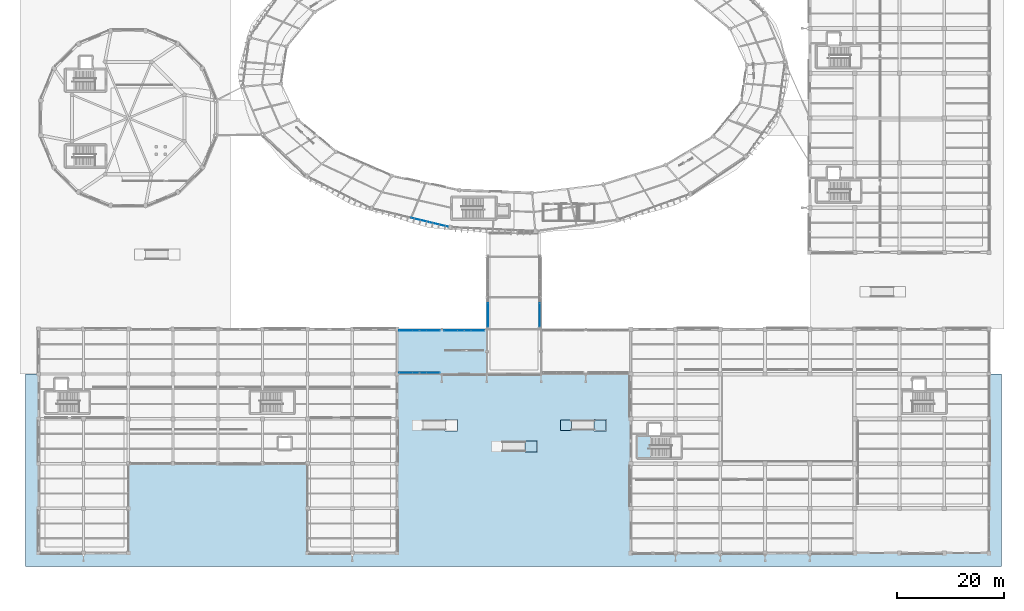
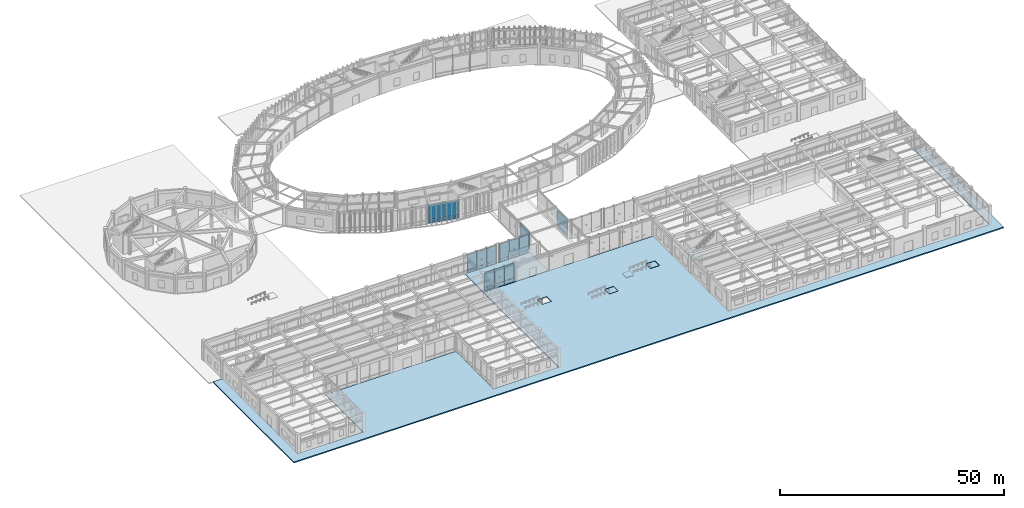
# One storey, part 112 of 157: 26 plates, 6 slabs, 9 elements without a shape of their own.
"""IFC4 building model written with IfcOpenShell, lengths in metres."""

from ifc_helpers import new_model, si_unit, direction, frame, origin, origin_2d, place, context, subcontext, project, spatial, polyline, rectangle, outline, extrude, material, layer, layer_set, type_object, element, aggregate, save


model = new_model("IFC4")

# Units and contexts
model_context = context("Model", 3, precision=1e-05, world=origin(), true_north=direction((0.0, 1.0)))
body_context = subcontext(model_context, "Body", "Model", "MODEL_VIEW")
ifc_project = project(units=[si_unit("LENGTHUNIT", "METRE"), si_unit("AREAUNIT", "SQUARE_METRE"), si_unit("VOLUMEUNIT", "CUBIC_METRE"), si_unit("PLANEANGLEUNIT", "RADIAN"), si_unit("MASSUNIT", "GRAM", prefix="KILO"), si_unit("THERMODYNAMICTEMPERATUREUNIT", "KELVIN"), si_unit("POWERUNIT", "WATT")], contexts=[model_context])

# Site, building, storey
site_placement = place(None, origin())
site = spatial("IfcSite", under=ifc_project, at=site_placement, CompositionType="ELEMENT")
building_placement = place(site_placement, origin())
building = spatial("IfcBuilding", under=site, at=building_placement, Name="Darbajah Civic Hall", CompositionType="ELEMENT")
storey_placement = place(building_placement, origin())
storey = spatial("IfcBuildingStorey", under=building, at=storey_placement, Name="L00", CompositionType="ELEMENT", Elevation=0.0)

# Slab
ifc_material_1 = material(Name="Concrete C45/55", Category="concrete")
ifc_layer_1 = layer(ifc_material_1, 0.300048828125, Name="Concrete C45/55")
ifc_layer_set_1 = layer_set([ifc_layer_1], Name="Concrete C45/55")
slab_type_1 = type_object("IfcSlabType", Name="Exterior Plaza Deck Slab 300mm", PredefinedType="FLOOR", material=ifc_layer_set_1)
slab_1_placement = place(storey_placement, frame((0.0, 0.0, -0.300048828125)))
element("IfcSlab", 1, at=slab_1_placement, inside=storey, type_object=slab_type_1, Name="L00 exterior civic plaza deck APR-S-2", PredefinedType="FLOOR", context=body_context, shape_type="SweptSolid", body=[
    extrude(outline(polyline([(180.5, 33.60009765625), (180.5, -2.5), (-2.5, -2.5), (-2.5, 33.60009765625), (-0.02001953125, 33.60009765625), (-0.02001953125, 0.0), (-0.02001953125, -0.001953125), (-0.01953125, -0.00390625), (-0.01904296875, -0.005859375), (-0.0185546875, -0.0078125), (-0.017578125, -0.009521484375), (-0.0166015625, -0.010986328125), (-0.015380859375, -0.0126953125), (-0.01416015625, -0.01416015625), (-0.0126953125, -0.015380859375), (-0.010986328125, -0.0166015625), (-0.009521484375, -0.017578125), (-0.0078125, -0.0185546875), (-0.005859375, -0.01904296875), (-0.00390625, -0.01953125), (-0.001953125, -0.02001953125), (0.0, -0.02001953125), (16.800048828125, -0.02001953125), (16.802001953125, -0.02001953125), (16.803955078125, -0.01953125), (16.805908203125, -0.01904296875), (16.8076171875, -0.0185546875), (16.809326171875, -0.017578125), (16.81103515625, -0.0166015625), (16.812744140625, -0.015380859375), (16.814208984375, -0.01416015625), (16.8154296875, -0.0126953125), (16.816650390625, -0.010986328125), (16.817626953125, -0.009521484375), (16.818603515625, -0.0078125), (16.819091796875, -0.005859375), (16.819580078125, -0.00390625), (16.81982421875, -0.001953125), (16.820068359375, 0.0), (16.820068359375, 16.780029296875), (50.3798828125, 16.780029296875), (50.3798828125, 0.0), (50.380126953125, -0.001953125), (50.38037109375, -0.00390625), (50.380859375, -0.005859375), (50.381591796875, -0.0078125), (50.38232421875, -0.009521484375), (50.38330078125, -0.010986328125), (50.384521484375, -0.0126953125), (50.385986328125, -0.01416015625), (50.38720703125, -0.015380859375), (50.388916015625, -0.0166015625), (50.390625, -0.017578125), (50.392333984375, -0.0185546875), (50.394287109375, -0.01904296875), (50.39599609375, -0.01953125), (50.39794921875, -0.02001953125), (50.39990234375, -0.02001953125), (67.199951171875, -0.02001953125), (67.201904296875, -0.02001953125), (67.203857421875, -0.01953125), (67.205810546875, -0.01904296875), (67.207763671875, -0.0185546875), (67.20947265625, -0.017578125), (67.211181640625, -0.0166015625), (67.212646484375, -0.015380859375), (67.214111328125, -0.01416015625), (67.215576171875, -0.0126953125), (67.216552734375, -0.010986328125), (67.217529296875, -0.009521484375), (67.218505859375, -0.0078125), (67.218994140625, -0.005859375), (67.219482421875, -0.00390625), (67.219970703125, -0.001953125), (67.219970703125, 0.0), (67.219970703125, 33.60009765625), (67.421630859375, 33.60009765625), (67.435791015625, 33.5859375), (67.437255859375, 33.58447265625), (67.43896484375, 33.58349609375), (67.440673828125, 33.58251953125), (67.4423828125, 33.58154296875), (67.444091796875, 33.580810546875), (67.446044921875, 33.580322265625), (67.447998046875, 33.580078125), (67.449951171875, 33.580078125), (83.75, 33.580078125), (83.751953125, 33.580078125), (83.75390625, 33.580322265625), (83.755859375, 33.580810546875), (83.7578125, 33.58154296875), (83.759521484375, 33.58251953125), (83.760986328125, 33.58349609375), (83.7626953125, 33.58447265625), (83.76416015625, 33.5859375), (83.7783203125, 33.60009765625), (84.2216796875, 33.60009765625), (84.23583984375, 33.5859375), (84.2373046875, 33.58447265625), (84.239013671875, 33.58349609375), (84.240478515625, 33.58251953125), (84.2421875, 33.58154296875), (84.244140625, 33.580810546875), (84.24609375, 33.580322265625), (84.248046875, 33.580078125), (84.25, 33.580078125), (93.949951171875, 33.580078125), (93.951904296875, 33.580078125), (93.953857421875, 33.580322265625), (93.955810546875, 33.580810546875), (93.957763671875, 33.58154296875), (93.95947265625, 33.58251953125), (93.961181640625, 33.58349609375), (93.962646484375, 33.58447265625), (93.964111328125, 33.5859375), (93.978271484375, 33.60009765625), (94.421630859375, 33.60009765625), (94.435791015625, 33.5859375), (94.437255859375, 33.58447265625), (94.43896484375, 33.58349609375), (94.440673828125, 33.58251953125), (94.4423828125, 33.58154296875), (94.444091796875, 33.580810546875), (94.446044921875, 33.580322265625), (94.447998046875, 33.580078125), (94.449951171875, 33.580078125), (110.75, 33.580078125), (110.751953125, 33.580078125), (110.75390625, 33.580322265625), (110.755859375, 33.580810546875), (110.7578125, 33.58154296875), (110.759521484375, 33.58251953125), (110.760986328125, 33.58349609375), (110.7626953125, 33.58447265625), (110.76416015625, 33.5859375), (110.7783203125, 33.60009765625), (110.97998046875, 33.60009765625), (110.97998046875, 0.5), (110.97998046875, 0.498046875), (110.98046875, 0.49609375), (110.98095703125, 0.494140625), (110.9814453125, 0.4921875), (110.982421875, 0.490478515625), (110.9833984375, 0.489013671875), (110.984619140625, 0.4873046875), (110.98583984375, 0.48583984375), (111.48583984375, -0.01416015625), (111.4873046875, -0.015380859375), (111.489013671875, -0.0166015625), (111.490478515625, -0.017578125), (111.4921875, -0.0185546875), (111.494140625, -0.01904296875), (111.49609375, -0.01953125), (111.498046875, -0.02001953125), (111.5, -0.02001953125), (177.699951171875, -0.02001953125), (177.701904296875, -0.02001953125), (177.703857421875, -0.01953125), (177.705810546875, -0.01904296875), (177.707763671875, -0.0185546875), (177.70947265625, -0.017578125), (177.711181640625, -0.0166015625), (177.712646484375, -0.015380859375), (177.714111328125, -0.01416015625), (178.214111328125, 0.48583984375), (178.215576171875, 0.4873046875), (178.216552734375, 0.489013671875), (178.217529296875, 0.490478515625), (178.218505859375, 0.4921875), (178.218994140625, 0.494140625), (178.219482421875, 0.49609375), (178.219970703125, 0.498046875), (178.219970703125, 0.5), (178.219970703125, 33.60009765625), (180.5, 33.60009765625)]), holes=[polyline([(106.43994140625, 22.97998046875), (106.43994140625, 25.02001953125), (106.43994140625, 25.02197265625), (106.439697265625, 25.02392578125), (106.439208984375, 25.02587890625), (106.4384765625, 25.027587890625), (106.4375, 25.029296875), (106.4365234375, 25.031005859375), (106.435546875, 25.03271484375), (106.43408203125, 25.0341796875), (106.4326171875, 25.035400390625), (106.43115234375, 25.03662109375), (106.429443359375, 25.03759765625), (106.427734375, 25.03857421875), (106.42578125, 25.0390625), (106.423828125, 25.03955078125), (106.422119140625, 25.039794921875), (106.419921875, 25.0400390625), (104.1201171875, 25.0400390625), (104.117919921875, 25.039794921875), (104.1162109375, 25.03955078125), (104.1142578125, 25.0390625), (104.1123046875, 25.03857421875), (104.110595703125, 25.03759765625), (104.10888671875, 25.03662109375), (104.107421875, 25.035400390625), (104.10595703125, 25.0341796875), (104.1044921875, 25.03271484375), (104.103515625, 25.031005859375), (104.102294921875, 25.029296875), (104.1015625, 25.027587890625), (104.100830078125, 25.02587890625), (104.100341796875, 25.02392578125), (104.10009765625, 25.02197265625), (104.10009765625, 25.02001953125), (104.10009765625, 22.97998046875), (104.10009765625, 22.97802734375), (104.100341796875, 22.97607421875), (104.100830078125, 22.97412109375), (104.1015625, 22.972412109375), (104.102294921875, 22.970703125), (104.103515625, 22.968994140625), (104.1044921875, 22.96728515625), (104.10595703125, 22.9658203125), (104.107421875, 22.964599609375), (104.10888671875, 22.96337890625), (104.110595703125, 22.96240234375), (104.1123046875, 22.96142578125), (104.1142578125, 22.9609375), (104.1162109375, 22.96044921875), (104.117919921875, 22.960205078125), (104.1201171875, 22.9599609375), (106.419921875, 22.9599609375), (106.422119140625, 22.960205078125), (106.423828125, 22.96044921875), (106.42578125, 22.9609375), (106.427734375, 22.96142578125), (106.429443359375, 22.96240234375), (106.43115234375, 22.96337890625), (106.4326171875, 22.964599609375), (106.43408203125, 22.9658203125), (106.435546875, 22.96728515625), (106.4365234375, 22.968994140625), (106.4375, 22.970703125), (106.4384765625, 22.972412109375), (106.439208984375, 22.97412109375), (106.439697265625, 22.97607421875), (106.43994140625, 22.97802734375), (106.43994140625, 22.97998046875)]), polyline([(93.5, 18.97998046875), (93.5, 21.02001953125), (93.5, 21.02197265625), (93.49951171875, 21.02392578125), (93.4990234375, 21.02587890625), (93.49853515625, 21.027587890625), (93.49755859375, 21.029296875), (93.49658203125, 21.031005859375), (93.49560546875, 21.03271484375), (93.494140625, 21.0341796875), (93.49267578125, 21.035400390625), (93.4912109375, 21.03662109375), (93.489501953125, 21.03759765625), (93.48779296875, 21.03857421875), (93.48583984375, 21.0390625), (93.48388671875, 21.03955078125), (93.48193359375, 21.039794921875), (93.47998046875, 21.0400390625), (91.179931640625, 21.0400390625), (91.177978515625, 21.039794921875), (91.176025390625, 21.03955078125), (91.17431640625, 21.0390625), (91.17236328125, 21.03857421875), (91.170654296875, 21.03759765625), (91.1689453125, 21.03662109375), (91.167236328125, 21.035400390625), (91.166015625, 21.0341796875), (91.16455078125, 21.03271484375), (91.163330078125, 21.031005859375), (91.162353515625, 21.029296875), (91.16162109375, 21.027587890625), (91.160888671875, 21.02587890625), (91.160400390625, 21.02392578125), (91.16015625, 21.02197265625), (91.159912109375, 21.02001953125), (91.159912109375, 18.97998046875), (91.16015625, 18.97802734375), (91.160400390625, 18.97607421875), (91.160888671875, 18.97412109375), (91.16162109375, 18.972412109375), (91.162353515625, 18.970703125), (91.163330078125, 18.968994140625), (91.16455078125, 18.96728515625), (91.166015625, 18.9658203125), (91.167236328125, 18.964599609375), (91.1689453125, 18.96337890625), (91.170654296875, 18.96240234375), (91.17236328125, 18.96142578125), (91.17431640625, 18.9609375), (91.176025390625, 18.96044921875), (91.177978515625, 18.960205078125), (91.179931640625, 18.9599609375), (93.47998046875, 18.9599609375), (93.48193359375, 18.960205078125), (93.48388671875, 18.96044921875), (93.48583984375, 18.9609375), (93.48779296875, 18.96142578125), (93.489501953125, 18.96240234375), (93.4912109375, 18.96337890625), (93.49267578125, 18.964599609375), (93.494140625, 18.9658203125), (93.49560546875, 18.96728515625), (93.49658203125, 18.968994140625), (93.49755859375, 18.970703125), (93.49853515625, 18.972412109375), (93.4990234375, 18.97412109375), (93.49951171875, 18.97607421875), (93.5, 18.97802734375), (93.5, 18.97998046875)]), polyline([(78.56005859375, 22.97998046875), (78.56005859375, 25.02001953125), (78.559814453125, 25.02197265625), (78.5595703125, 25.02392578125), (78.55908203125, 25.02587890625), (78.55859375, 25.027587890625), (78.5576171875, 25.029296875), (78.556640625, 25.031005859375), (78.555419921875, 25.03271484375), (78.55419921875, 25.0341796875), (78.552734375, 25.035400390625), (78.551025390625, 25.03662109375), (78.54931640625, 25.03759765625), (78.547607421875, 25.03857421875), (78.5458984375, 25.0390625), (78.5439453125, 25.03955078125), (78.5419921875, 25.039794921875), (78.5400390625, 25.0400390625), (76.239990234375, 25.0400390625), (76.238037109375, 25.039794921875), (76.236083984375, 25.03955078125), (76.234130859375, 25.0390625), (76.232421875, 25.03857421875), (76.230712890625, 25.03759765625), (76.22900390625, 25.03662109375), (76.227294921875, 25.035400390625), (76.225830078125, 25.0341796875), (76.224609375, 25.03271484375), (76.223388671875, 25.031005859375), (76.222412109375, 25.029296875), (76.221435546875, 25.027587890625), (76.220947265625, 25.02587890625), (76.220458984375, 25.02392578125), (76.22021484375, 25.02197265625), (76.219970703125, 25.02001953125), (76.219970703125, 22.97998046875), (76.22021484375, 22.97802734375), (76.220458984375, 22.97607421875), (76.220947265625, 22.97412109375), (76.221435546875, 22.972412109375), (76.222412109375, 22.970703125), (76.223388671875, 22.968994140625), (76.224609375, 22.96728515625), (76.225830078125, 22.9658203125), (76.227294921875, 22.964599609375), (76.22900390625, 22.96337890625), (76.230712890625, 22.96240234375), (76.232421875, 22.96142578125), (76.234130859375, 22.9609375), (76.236083984375, 22.96044921875), (76.238037109375, 22.960205078125), (76.239990234375, 22.9599609375), (78.5400390625, 22.9599609375), (78.5419921875, 22.960205078125), (78.5439453125, 22.96044921875), (78.5458984375, 22.9609375), (78.547607421875, 22.96142578125), (78.54931640625, 22.96240234375), (78.551025390625, 22.96337890625), (78.552734375, 22.964599609375), (78.55419921875, 22.9658203125), (78.555419921875, 22.96728515625), (78.556640625, 22.968994140625), (78.5576171875, 22.970703125), (78.55859375, 22.972412109375), (78.55908203125, 22.97412109375), (78.5595703125, 22.97607421875), (78.559814453125, 22.97802734375), (78.56005859375, 22.97998046875)])]), origin(), (0.0, 0.0, 1.0), 0.300048828125),
])

# Curtain wall, plates
ifc_material_2 = material(Name="Anodised Bronze Aluminium and Low-E Glazing", Category="aluminium")
curtain_wall_type_1 = type_object("IfcCurtainWallType", Name="Unitised Curtain Wall CW-101 7600x5150", PredefinedType="USERDEFINED", material=ifc_material_2)
curtain_wall_1_placement = place(storey_placement, origin())
curtain_wall_1 = element("IfcCurtainWall", 2, at=curtain_wall_1_placement, inside=storey, type_object=curtain_wall_type_1, Name="L00 unitised curtain wall CW-V6-SW-S-L00", ObjectType="UNITISED CURTAIN WALL", PredefinedType="USERDEFINED")
ifc_material_3 = material(Name="Low-E Solar Control Double Glazing", Category="glass")
ifc_layer_2 = layer(ifc_material_3, 0.02392578125, Name="Low-E Solar Control Double Glazing")
ifc_layer_set_2 = layer_set([ifc_layer_2], Name="Low-E Solar Control Double Glazing")
plate_type_1 = type_object("IfcPlateType", Name="Solar Double Glazing 24mm", PredefinedType="CURTAIN_PANEL", material=ifc_layer_set_2)
plate_1_placement = place(storey_placement, frame((68.86669921875, 33.85009765625, 0.10009765625), z_axis=(0.0, 0.0, 1.0), x_axis=(1.0, 0.0, 0.0)))
plate_1 = element("IfcPlate", 3, at=plate_1_placement, type_object=plate_type_1, Name="CW-V6-SW-S-L00 glazed panel 1.1", PredefinedType="CURTAIN_PANEL", context=body_context, shape_type="SweptSolid", body=[
    extrude(rectangle(XDim=2.46826171875, YDim=0.02392578125, at=origin_2d()), origin(), (0.0, 0.0, 1.0), 0.800048828125),
])
plate_2_placement = place(storey_placement, frame((68.86669921875, 33.85009765625, 1.0), z_axis=(0.0, 0.0, 1.0), x_axis=(1.0, 0.0, 0.0)))
plate_2 = element("IfcPlate", 4, at=plate_2_placement, type_object=plate_type_1, Name="CW-V6-SW-S-L00 glazed panel 1.2", PredefinedType="CURTAIN_PANEL", context=body_context, shape_type="SweptSolid", body=[
    extrude(rectangle(XDim=2.46826171875, YDim=0.02392578125, at=origin_2d()), origin(), (0.0, 0.0, 1.0), 4.06005859375),
])
plate_3_placement = place(storey_placement, frame((71.39990234375, 33.85009765625, 0.10009765625), z_axis=(0.0, 0.0, 1.0), x_axis=(1.0, 0.0, 0.0)))
plate_3 = element("IfcPlate", 5, at=plate_3_placement, type_object=plate_type_1, Name="CW-V6-SW-S-L00 glazed panel 2.1", PredefinedType="CURTAIN_PANEL", context=body_context, shape_type="SweptSolid", body=[
    extrude(rectangle(XDim=2.46826171875, YDim=0.02392578125, at=origin_2d()), origin(), (0.0, 0.0, 1.0), 0.800048828125),
])
plate_4_placement = place(storey_placement, frame((71.39990234375, 33.85009765625, 1.0), z_axis=(0.0, 0.0, 1.0), x_axis=(1.0, 0.0, 0.0)))
plate_4 = element("IfcPlate", 6, at=plate_4_placement, type_object=plate_type_1, Name="CW-V6-SW-S-L00 glazed panel 2.2", PredefinedType="CURTAIN_PANEL", context=body_context, shape_type="SweptSolid", body=[
    extrude(rectangle(XDim=2.46826171875, YDim=0.02392578125, at=origin_2d()), origin(), (0.0, 0.0, 1.0), 4.06005859375),
])
plate_5_placement = place(storey_placement, frame((73.933349609375, 33.85009765625, 0.10009765625), z_axis=(0.0, 0.0, 1.0), x_axis=(1.0, 0.0, 0.0)))
plate_5 = element("IfcPlate", 7, at=plate_5_placement, type_object=plate_type_1, Name="CW-V6-SW-S-L00 glazed panel 3.1", PredefinedType="CURTAIN_PANEL", context=body_context, shape_type="SweptSolid", body=[
    extrude(rectangle(XDim=2.46826171875, YDim=0.02392578125, at=origin_2d()), origin(), (0.0, 0.0, 1.0), 0.800048828125),
])
plate_6_placement = place(storey_placement, frame((73.933349609375, 33.85009765625, 1.0), z_axis=(0.0, 0.0, 1.0), x_axis=(1.0, 0.0, 0.0)))
plate_6 = element("IfcPlate", 8, at=plate_6_placement, type_object=plate_type_1, Name="CW-V6-SW-S-L00 glazed panel 3.2", PredefinedType="CURTAIN_PANEL", context=body_context, shape_type="SweptSolid", body=[
    extrude(rectangle(XDim=2.46826171875, YDim=0.02392578125, at=origin_2d()), origin(), (0.0, 0.0, 1.0), 4.06005859375),
])
aggregate(curtain_wall_1, [plate_1, plate_2, plate_3, plate_4, plate_5, plate_6])

curtain_wall_2_placement = place(storey_placement, origin())
curtain_wall_2 = element("IfcCurtainWall", 9, at=curtain_wall_2_placement, inside=storey, type_object=curtain_wall_type_1, Name="L00 unitised curtain wall CW-V6-SW-N-L00", ObjectType="UNITISED CURTAIN WALL", PredefinedType="USERDEFINED")
plate_7_placement = place(storey_placement, frame((68.86669921875, 41.75, 0.10009765625), z_axis=(0.0, 0.0, 1.0), x_axis=(1.0, 0.0, 0.0)))
plate_7 = element("IfcPlate", 10, at=plate_7_placement, type_object=plate_type_1, Name="CW-V6-SW-N-L00 glazed panel 1.1", PredefinedType="CURTAIN_PANEL", context=body_context, shape_type="SweptSolid", body=[
    extrude(rectangle(XDim=2.46826171875, YDim=0.02392578125, at=origin_2d()), origin(), (0.0, 0.0, 1.0), 0.800048828125),
])
plate_8_placement = place(storey_placement, frame((68.86669921875, 41.75, 1.0), z_axis=(0.0, 0.0, 1.0), x_axis=(1.0, 0.0, 0.0)))
plate_8 = element("IfcPlate", 11, at=plate_8_placement, type_object=plate_type_1, Name="CW-V6-SW-N-L00 glazed panel 1.2", PredefinedType="CURTAIN_PANEL", context=body_context, shape_type="SweptSolid", body=[
    extrude(rectangle(XDim=2.46826171875, YDim=0.02392578125, at=origin_2d()), origin(), (0.0, 0.0, 1.0), 4.06005859375),
])
plate_9_placement = place(storey_placement, frame((71.39990234375, 41.75, 0.10009765625), z_axis=(0.0, 0.0, 1.0), x_axis=(1.0, 0.0, 0.0)))
plate_9 = element("IfcPlate", 12, at=plate_9_placement, type_object=plate_type_1, Name="CW-V6-SW-N-L00 glazed panel 2.1", PredefinedType="CURTAIN_PANEL", context=body_context, shape_type="SweptSolid", body=[
    extrude(rectangle(XDim=2.46826171875, YDim=0.02392578125, at=origin_2d()), origin(), (0.0, 0.0, 1.0), 0.800048828125),
])
plate_10_placement = place(storey_placement, frame((71.39990234375, 41.75, 1.0), z_axis=(0.0, 0.0, 1.0), x_axis=(1.0, 0.0, 0.0)))
plate_10 = element("IfcPlate", 13, at=plate_10_placement, type_object=plate_type_1, Name="CW-V6-SW-N-L00 glazed panel 2.2", PredefinedType="CURTAIN_PANEL", context=body_context, shape_type="SweptSolid", body=[
    extrude(rectangle(XDim=2.46826171875, YDim=0.02392578125, at=origin_2d()), origin(), (0.0, 0.0, 1.0), 4.06005859375),
])
plate_11_placement = place(storey_placement, frame((73.933349609375, 41.75, 0.10009765625), z_axis=(0.0, 0.0, 1.0), x_axis=(1.0, 0.0, 0.0)))
plate_11 = element("IfcPlate", 14, at=plate_11_placement, type_object=plate_type_1, Name="CW-V6-SW-N-L00 glazed panel 3.1", PredefinedType="CURTAIN_PANEL", context=body_context, shape_type="SweptSolid", body=[
    extrude(rectangle(XDim=2.46826171875, YDim=0.02392578125, at=origin_2d()), origin(), (0.0, 0.0, 1.0), 0.800048828125),
])
plate_12_placement = place(storey_placement, frame((73.933349609375, 41.75, 1.0), z_axis=(0.0, 0.0, 1.0), x_axis=(1.0, 0.0, 0.0)))
plate_12 = element("IfcPlate", 15, at=plate_12_placement, type_object=plate_type_1, Name="CW-V6-SW-N-L00 glazed panel 3.2", PredefinedType="CURTAIN_PANEL", context=body_context, shape_type="SweptSolid", body=[
    extrude(rectangle(XDim=2.46826171875, YDim=0.02392578125, at=origin_2d()), origin(), (0.0, 0.0, 1.0), 4.06005859375),
])
aggregate(curtain_wall_2, [plate_7, plate_8, plate_9, plate_10, plate_11, plate_12])

curtain_wall_3_placement = place(storey_placement, origin())
curtain_wall_3 = element("IfcCurtainWall", 16, at=curtain_wall_3_placement, inside=storey, type_object=curtain_wall_type_1, Name="L00 unitised curtain wall CW-V6-SW-N2-L00", ObjectType="UNITISED CURTAIN WALL", PredefinedType="USERDEFINED")
plate_13_placement = place(storey_placement, frame((77.2666015625, 41.75, 0.10009765625), z_axis=(0.0, 0.0, 1.0), x_axis=(1.0, 0.0, 0.0)))
plate_13 = element("IfcPlate", 17, at=plate_13_placement, type_object=plate_type_1, Name="CW-V6-SW-N2-L00 glazed panel 1.1", PredefinedType="CURTAIN_PANEL", context=body_context, shape_type="SweptSolid", body=[
    extrude(rectangle(XDim=2.46826171875, YDim=0.02392578125, at=origin_2d()), origin(), (0.0, 0.0, 1.0), 0.800048828125),
])
plate_14_placement = place(storey_placement, frame((77.2666015625, 41.75, 1.0), z_axis=(0.0, 0.0, 1.0), x_axis=(1.0, 0.0, 0.0)))
plate_14 = element("IfcPlate", 18, at=plate_14_placement, type_object=plate_type_1, Name="CW-V6-SW-N2-L00 glazed panel 1.2", PredefinedType="CURTAIN_PANEL", context=body_context, shape_type="SweptSolid", body=[
    extrude(rectangle(XDim=2.46826171875, YDim=0.02392578125, at=origin_2d()), origin(), (0.0, 0.0, 1.0), 4.06005859375),
])
plate_15_placement = place(storey_placement, frame((79.800048828125, 41.75, 0.10009765625), z_axis=(0.0, 0.0, 1.0), x_axis=(1.0, 0.0, 0.0)))
plate_15 = element("IfcPlate", 19, at=plate_15_placement, type_object=plate_type_1, Name="CW-V6-SW-N2-L00 glazed panel 2.1", PredefinedType="CURTAIN_PANEL", context=body_context, shape_type="SweptSolid", body=[
    extrude(rectangle(XDim=2.46826171875, YDim=0.02392578125, at=origin_2d()), origin(), (0.0, 0.0, 1.0), 0.800048828125),
])
plate_16_placement = place(storey_placement, frame((79.800048828125, 41.75, 1.0), z_axis=(0.0, 0.0, 1.0), x_axis=(1.0, 0.0, 0.0)))
plate_16 = element("IfcPlate", 20, at=plate_16_placement, type_object=plate_type_1, Name="CW-V6-SW-N2-L00 glazed panel 2.2", PredefinedType="CURTAIN_PANEL", context=body_context, shape_type="SweptSolid", body=[
    extrude(rectangle(XDim=2.46826171875, YDim=0.02392578125, at=origin_2d()), origin(), (0.0, 0.0, 1.0), 4.06005859375),
])
plate_17_placement = place(storey_placement, frame((82.333251953125, 41.75, 0.10009765625), z_axis=(0.0, 0.0, 1.0), x_axis=(1.0, 0.0, 0.0)))
plate_17 = element("IfcPlate", 21, at=plate_17_placement, type_object=plate_type_1, Name="CW-V6-SW-N2-L00 glazed panel 3.1", PredefinedType="CURTAIN_PANEL", context=body_context, shape_type="SweptSolid", body=[
    extrude(rectangle(XDim=2.46826171875, YDim=0.02392578125, at=origin_2d()), origin(), (0.0, 0.0, 1.0), 0.800048828125),
])
plate_18_placement = place(storey_placement, frame((82.333251953125, 41.75, 1.0), z_axis=(0.0, 0.0, 1.0), x_axis=(1.0, 0.0, 0.0)))
plate_18 = element("IfcPlate", 22, at=plate_18_placement, type_object=plate_type_1, Name="CW-V6-SW-N2-L00 glazed panel 3.2", PredefinedType="CURTAIN_PANEL", context=body_context, shape_type="SweptSolid", body=[
    extrude(rectangle(XDim=2.46826171875, YDim=0.02392578125, at=origin_2d()), origin(), (0.0, 0.0, 1.0), 4.06005859375),
])
aggregate(curtain_wall_3, [plate_13, plate_14, plate_15, plate_16, plate_17, plate_18])

curtain_wall_type_2 = type_object("IfcCurtainWallType", Name="Unitised Curtain Wall CW-102 13400x5150", PredefinedType="USERDEFINED", material=ifc_material_2)
curtain_wall_4_placement = place(storey_placement, origin())
curtain_wall_4 = element("IfcCurtainWall", 23, at=curtain_wall_4_placement, inside=storey, type_object=curtain_wall_type_2, Name="L00 unitised curtain wall CW-V6-PW-L00", ObjectType="UNITISED CURTAIN WALL", PredefinedType="USERDEFINED")
plate_19_placement = place(storey_placement, frame((84.25, 44.63330078125, 0.10009765625), z_axis=(0.0, 0.0, 1.0), x_axis=(0.0, 1.0, 0.0)))
plate_19 = element("IfcPlate", 24, at=plate_19_placement, type_object=plate_type_1, Name="CW-V6-PW-L00 glazed panel 1.1", PredefinedType="CURTAIN_PANEL", context=body_context, shape_type="SweptSolid", body=[
    extrude(rectangle(XDim=4.401611328125, YDim=0.02392578125, at=origin_2d()), origin(), (0.0, 0.0, 1.0), 0.800048828125),
])
plate_20_placement = place(storey_placement, frame((84.25, 44.63330078125, 1.0), z_axis=(0.0, 0.0, 1.0), x_axis=(0.0, 1.0, 0.0)))
plate_20 = element("IfcPlate", 25, at=plate_20_placement, type_object=plate_type_1, Name="CW-V6-PW-L00 glazed panel 1.2", PredefinedType="CURTAIN_PANEL", context=body_context, shape_type="SweptSolid", body=[
    extrude(rectangle(XDim=4.401611328125, YDim=0.02392578125, at=origin_2d()), origin(), (0.0, 0.0, 1.0), 4.06005859375),
])
aggregate(curtain_wall_4, [plate_19, plate_20])

curtain_wall_5_placement = place(storey_placement, origin())
curtain_wall_5 = element("IfcCurtainWall", 26, at=curtain_wall_5_placement, inside=storey, type_object=curtain_wall_type_2, Name="L00 unitised curtain wall CW-V6-PE-L00", ObjectType="UNITISED CURTAIN WALL", PredefinedType="USERDEFINED")
plate_21_placement = place(storey_placement, frame((93.949951171875, 44.63330078125, 0.10009765625), z_axis=(0.0, 0.0, 1.0), x_axis=(0.0, 1.0, 0.0)))
plate_21 = element("IfcPlate", 27, at=plate_21_placement, type_object=plate_type_1, Name="CW-V6-PE-L00 glazed panel 1.1", PredefinedType="CURTAIN_PANEL", context=body_context, shape_type="SweptSolid", body=[
    extrude(rectangle(XDim=4.401611328125, YDim=0.02392578125, at=origin_2d()), origin(), (0.0, 0.0, 1.0), 0.800048828125),
])
plate_22_placement = place(storey_placement, frame((93.949951171875, 44.63330078125, 1.0), z_axis=(0.0, 0.0, 1.0), x_axis=(0.0, 1.0, 0.0)))
plate_22 = element("IfcPlate", 28, at=plate_22_placement, type_object=plate_type_1, Name="CW-V6-PE-L00 glazed panel 1.2", PredefinedType="CURTAIN_PANEL", context=body_context, shape_type="SweptSolid", body=[
    extrude(rectangle(XDim=4.401611328125, YDim=0.02392578125, at=origin_2d()), origin(), (0.0, 0.0, 1.0), 4.06005859375),
])
aggregate(curtain_wall_5, [plate_21, plate_22])

curtain_wall_type_3 = type_object("IfcCurtainWallType", Name="Unitised Curtain Wall CW-13 14400x5100", PredefinedType="USERDEFINED", material=ifc_material_2)
curtain_wall_6_placement = place(storey_placement, origin())
curtain_wall_6 = element("IfcCurtainWall", 29, at=curtain_wall_6_placement, inside=storey, type_object=curtain_wall_type_3, Name="L00 unitised curtain wall CW-V1O-L00-13", ObjectType="UNITISED CURTAIN WALL", PredefinedType="USERDEFINED")
ifc_layer_3 = layer(ifc_material_3, 0.028076171875, Name="Low-E Solar Control Double Glazing")
ifc_layer_set_3 = layer_set([ifc_layer_3], Name="Low-E Solar Control Double Glazing")
plate_type_2 = type_object("IfcPlateType", Name="Solar Double Glazing 28mm", PredefinedType="CURTAIN_PANEL", material=ifc_layer_set_3)
plate_23_placement = place(storey_placement, frame((71.574462890625, 62.461669921875, 0.119873046875), z_axis=(0.0, 0.0, 1.0), x_axis=(0.972492018808, -0.232936200179, 0.0)))
plate_23 = element("IfcPlate", 30, at=plate_23_placement, type_object=plate_type_2, Name="CW-V1O-L00-13 glazed panel 3.1", PredefinedType="CURTAIN_PANEL", context=body_context, shape_type="SweptSolid", body=[
    extrude(rectangle(XDim=3.53125, YDim=0.028076171875, at=origin_2d()), origin(), (0.0, 0.0, 1.0), 0.77001953125),
])
plate_24_placement = place(storey_placement, frame((71.574462890625, 62.461669921875, 1.009765625), z_axis=(0.0, 0.0, 1.0), x_axis=(0.972492018808, -0.232936200179, 0.0)))
plate_24 = element("IfcPlate", 31, at=plate_24_placement, type_object=plate_type_2, Name="CW-V1O-L00-13 glazed panel 3.2", PredefinedType="CURTAIN_PANEL", context=body_context, shape_type="SweptSolid", body=[
    extrude(rectangle(XDim=3.53125, YDim=0.028076171875, at=origin_2d()), origin(), (0.0, 0.0, 1.0), 3.989990234375),
])
plate_25_placement = place(storey_placement, frame((75.07666015625, 61.62255859375, 0.119873046875), z_axis=(0.0, 0.0, 1.0), x_axis=(0.972492018808, -0.232936200179, 0.0)))
plate_25 = element("IfcPlate", 32, at=plate_25_placement, type_object=plate_type_2, Name="CW-V1O-L00-13 glazed panel 4.1", PredefinedType="CURTAIN_PANEL", context=body_context, shape_type="SweptSolid", body=[
    extrude(rectangle(XDim=3.53125, YDim=0.028076171875, at=origin_2d()), origin(), (0.0, 0.0, 1.0), 0.77001953125),
])
plate_26_placement = place(storey_placement, frame((75.07666015625, 61.62255859375, 1.009765625), z_axis=(0.0, 0.0, 1.0), x_axis=(0.972492018808, -0.232936200179, 0.0)))
plate_26 = element("IfcPlate", 33, at=plate_26_placement, type_object=plate_type_2, Name="CW-V1O-L00-13 glazed panel 4.2", PredefinedType="CURTAIN_PANEL", context=body_context, shape_type="SweptSolid", body=[
    extrude(rectangle(XDim=3.53125, YDim=0.028076171875, at=origin_2d()), origin(), (0.0, 0.0, 1.0), 3.989990234375),
])
aggregate(curtain_wall_6, [plate_23, plate_24, plate_25, plate_26])

# Stair, slab
stair_type = type_object("IfcStairType", Name="Half Turn Stair 1650x5400", PredefinedType="HALF_TURN_STAIR", material=ifc_material_1)
stair_placement = place(storey_placement, origin())
stair = element("IfcStair", 34, at=stair_placement, inside=storey, type_object=stair_type, Name="L00 enclosed exit stair ST06", PredefinedType="HALF_TURN_STAIR")
ifc_layer_4 = layer(ifc_material_1, 0.199951171875, Name="Concrete C45/55")
ifc_layer_set_4 = layer_set([ifc_layer_4], Name="Concrete C45/55")
slab_type_2 = type_object("IfcSlabType", Name="Stair Landing Slab 200mm", PredefinedType="LANDING", material=ifc_layer_set_4)
slab_2_placement = place(storey_placement, frame((0.0, 0.0, 2.5)))
slab_2 = element("IfcSlab", 35, at=slab_2_placement, type_object=slab_type_2, Name="ST06 L00 half-landing", PredefinedType="LANDING", context=body_context, shape_type="SweptSolid", body=[
    extrude(outline(polyline([(112.199951171875, 17.800048828125), (114.739990234375, 17.800048828125), (114.739990234375, 22.0), (112.199951171875, 22.0), (112.199951171875, 17.800048828125)])), origin(), (0.0, 0.0, 1.0), 0.199951171875),
])
aggregate(stair, [slab_2])

# Ramp, slabs
ramp_type = type_object("IfcRampType", Name="Exterior Plaza Accessible Ramp", PredefinedType="STRAIGHT_RUN_RAMP", material=ifc_material_1)
ramp_1_placement = place(storey_placement, origin())
ramp_1 = element("IfcRamp", 36, at=ramp_1_placement, inside=storey, type_object=ramp_type, Name="South East Maidan Accessible Ramp", PredefinedType="STRAIGHT_RUN_RAMP")
slab_3_placement = place(storey_placement, frame((0.0, 0.0, -0.56005859375)))
slab_3 = element("IfcSlab", 37, at=slab_3_placement, type_object=slab_type_2, Name="South East Maidan Accessible Ramp lower landing", PredefinedType="LANDING", context=body_context, shape_type="SweptSolid", body=[
    extrude(outline(polyline([(97.8798828125, 23.0), (99.929931640625, 23.0), (99.929931640625, 25.0), (97.8798828125, 25.0), (97.8798828125, 23.0)])), origin(), (0.0, 0.0, 1.0), 0.199951171875),
])
slab_4_placement = place(storey_placement, frame((0.0, 0.0, -0.199951171875)))
slab_4 = element("IfcSlab", 38, at=slab_4_placement, type_object=slab_type_2, Name="South East Maidan Accessible Ramp upper landing", PredefinedType="LANDING", context=body_context, shape_type="SweptSolid", body=[
    extrude(outline(polyline([(104.14990234375, 23.0), (106.39990234375, 23.0), (106.39990234375, 25.0), (104.14990234375, 25.0), (104.14990234375, 23.0)])), origin(), (0.0, 0.0, 1.0), 0.199951171875),
])
aggregate(ramp_1, [slab_3, slab_4])

# Ramp, slab
ramp_2_placement = place(storey_placement, origin())
ramp_2 = element("IfcRamp", 39, at=ramp_2_placement, inside=storey, type_object=ramp_type, Name="Central Pishtaq Ceremonial Approach Ramp", PredefinedType="STRAIGHT_RUN_RAMP")
slab_5_placement = place(storey_placement, frame((0.0, 0.0, -0.199951171875)))
slab_5 = element("IfcSlab", 40, at=slab_5_placement, type_object=slab_type_2, Name="Central Pishtaq Ceremonial Approach Ramp upper landing", PredefinedType="LANDING", context=body_context, shape_type="SweptSolid", body=[
    extrude(outline(polyline([(91.2099609375, 19.0), (93.4599609375, 19.0), (93.4599609375, 21.0), (91.2099609375, 21.0), (91.2099609375, 19.0)])), origin(), (0.0, 0.0, 1.0), 0.199951171875),
])
aggregate(ramp_2, [slab_5])

# Slab
ifc_layer_5 = layer(ifc_material_1, 0.239990234375, Name="Concrete C45/55")
ifc_layer_set_5 = layer_set([ifc_layer_5], Name="Concrete C45/55")
slab_type_3 = type_object("IfcSlabType", Name="Structural Floor Slab 240mm", PredefinedType="FLOOR", material=ifc_layer_set_5)
slab_6_placement = place(storey_placement, frame((0.0, 0.0, -0.239990234375)))
element("IfcSlab", 41, at=slab_6_placement, inside=storey, type_object=slab_type_3, Name="L00 Screened Link Walk SW floor slab", PredefinedType="FLOOR", context=body_context, shape_type="SweptSolid", body=[
    extrude(outline(polyline([(67.199951171875, 33.85009765625), (67.199951171875, 41.75), (67.449951171875, 42.0), (83.75, 42.0), (84.0, 41.75), (84.0, 33.85009765625), (83.75, 33.60009765625), (67.449951171875, 33.60009765625), (67.199951171875, 33.85009765625)])), origin(), (0.0, 0.0, 1.0), 0.239990234375),
])

save(model, "model.ifc")
